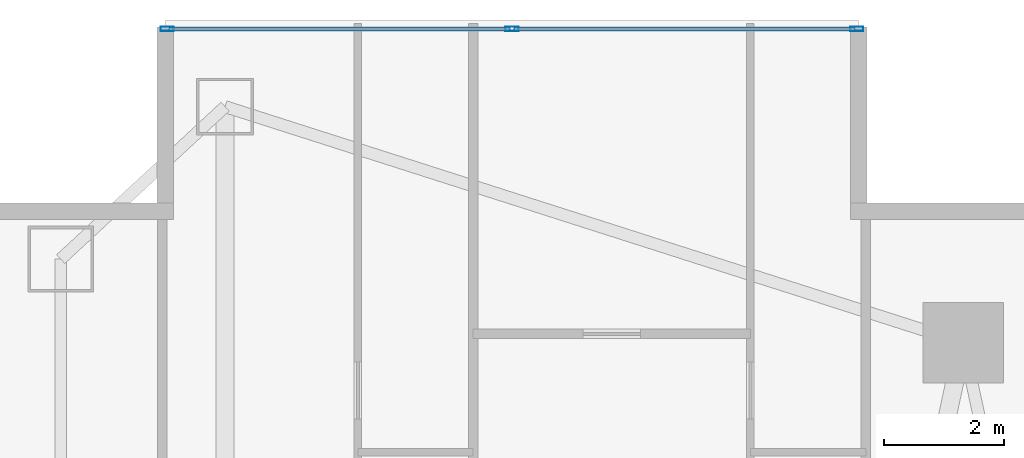
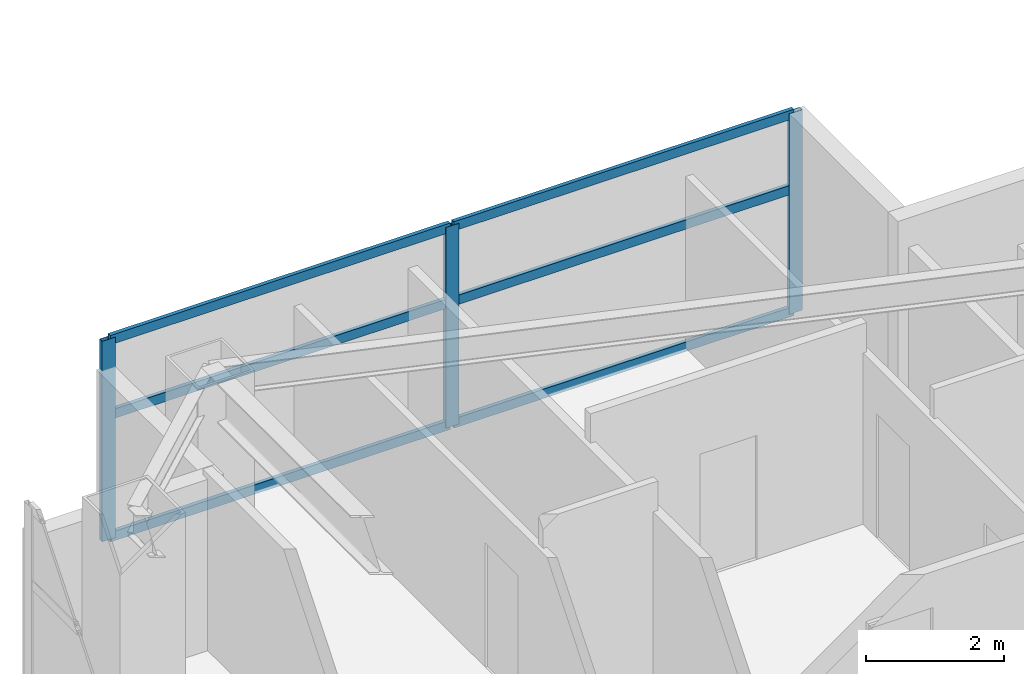
# One storey, part 19 of 29: 9 members, 1 element without a shape of its own.
"""IFC4 building model written with IfcOpenShell, lengths in metres."""

from ifc_helpers import new_model, si_unit, direction, frame, origin, origin_2d, place, context, subcontext, project, spatial, hollow_rectangle, extrude, material, layer, layer_set, material_profile, profile_set, type_object, element, aggregate, save


model = new_model("IFC4")

# Units and contexts
model_context = context("Model", 3, precision=1e-05, world=origin(), true_north=direction((0.0, 1.0)))
body_context = subcontext(model_context, "Body", "Model", "MODEL_VIEW")
ifc_project = project(units=[si_unit("LENGTHUNIT", "METRE"), si_unit("AREAUNIT", "SQUARE_METRE"), si_unit("VOLUMEUNIT", "CUBIC_METRE"), si_unit("PLANEANGLEUNIT", "RADIAN"), si_unit("MASSUNIT", "GRAM", prefix="KILO")], contexts=[model_context])

# Site, building, storey
site_placement = place(None, origin())
site = spatial("IfcSite", under=ifc_project, at=site_placement, CompositionType="ELEMENT")
building_placement = place(site_placement, origin())
building = spatial("IfcBuilding", under=site, at=building_placement, Name="Calvorn Quay Hotel", CompositionType="ELEMENT")
storey_placement = place(building_placement, frame((0.0, 0.0, 34.60009765625)))
storey = spatial("IfcBuildingStorey", under=building, at=storey_placement, Name="L07", CompositionType="ELEMENT", Elevation=34.60009765625)

# Curtain wall, members
ifc_material_1 = material(Name="Pale Anodised Aluminium and Low-E Glass", Category="aluminium")
ifc_layer = layer(ifc_material_1, 0.219970703125)
ifc_layer_set = layer_set([ifc_layer], Name="CW-SYS-Z1")
curtain_wall_type = type_object("IfcCurtainWallType", Name="CW-SYS-Z1", PredefinedType="NOTDEFINED", material=ifc_layer_set)
curtain_wall_placement = place(storey_placement, origin())
curtain_wall = element("IfcCurtainWall", 1, at=curtain_wall_placement, inside=storey, type_object=curtain_wall_type, Name="Inner Court Curtain Wall L07-N1", PredefinedType="NOTDEFINED")
ifc_material_2 = material(Name="Pale Anodised Aluminium 6063-T6", Category="aluminium")
ifc_material_profile_1 = material_profile(ifc_material_2, hollow_rectangle(XDim=0.074951171875, YDim=0.219970703125, WallThickness=0.00439453125, at=origin_2d()), Name="ALU-M220x75x4.5")
ifc_profile_set_1 = profile_set([ifc_material_profile_1], Name="Pale Anodised Aluminium 6063-T6")
member_type_1 = type_object("IfcMemberType", Name="CW-SYS-Z1-MUL", PredefinedType="MULLION", material=ifc_profile_set_1)
member_1_placement = place(storey_placement, frame((14.77001953125, 50.85009765625, 0.0), z_axis=(0.0, 0.0, 1.0), x_axis=(0.0, -1.0, 0.0)))
member_1 = element("IfcMember", 2, at=member_1_placement, type_object=member_type_1, Name="CW-L07-N1 mullion 1", PredefinedType="MULLION", context=body_context, shape_type="SweptSolid", body=[
    extrude(hollow_rectangle(XDim=0.074951171875, YDim=0.219970703125, WallThickness=0.00439453125, at=origin_2d()), origin(), (0.0, 0.0, 1.0), 3.559814453125),
])
member_2_placement = place(storey_placement, frame((9.0, 50.85009765625, 0.0), z_axis=(0.0, 0.0, 1.0), x_axis=(0.0, -1.0, 0.0)))
member_2 = element("IfcMember", 3, at=member_2_placement, type_object=member_type_1, Name="CW-L07-N1 mullion 2", PredefinedType="MULLION", context=body_context, shape_type="SweptSolid", body=[
    extrude(hollow_rectangle(XDim=0.074951171875, YDim=0.219970703125, WallThickness=0.00439453125, at=origin_2d()), origin(), (0.0, 0.0, 1.0), 3.559814453125),
])
member_3_placement = place(storey_placement, frame((3.22998046875, 50.85009765625, 0.0), z_axis=(0.0, 0.0, 1.0), x_axis=(0.0, -1.0, 0.0)))
member_3 = element("IfcMember", 4, at=member_3_placement, type_object=member_type_1, Name="CW-L07-N1 mullion 3", PredefinedType="MULLION", context=body_context, shape_type="SweptSolid", body=[
    extrude(hollow_rectangle(XDim=0.074951171875, YDim=0.219970703125, WallThickness=0.00439453125, at=origin_2d()), origin(), (0.0, 0.0, 1.0), 3.559814453125),
])
ifc_material_3 = material(Name="Pale Anodised Aluminium 6063-T6", Category="aluminium")
ifc_material_profile_2 = material_profile(ifc_material_3, hollow_rectangle(XDim=0.06494140625, YDim=0.1650390625, WallThickness=0.00341796875, at=origin_2d()), Name="ALU-T165x65x3.5")
ifc_profile_set_2 = profile_set([ifc_material_profile_2], Name="Pale Anodised Aluminium 6063-T6")
member_type_2 = type_object("IfcMemberType", Name="CW-SYS-Z1-TRN", PredefinedType="USERDEFINED", material=ifc_profile_set_2)
member_4_placement = place(storey_placement, frame((14.739990234375, 50.85009765625, 0.02978515625), z_axis=(-1.0, 0.0, 0.0), x_axis=(0.0, -1.0, 0.0)))
member_4 = element("IfcMember", 5, at=member_4_placement, type_object=member_type_2, Name="CW-L07-N1 transom 1.1", ObjectType="TRANSOM", PredefinedType="USERDEFINED", context=body_context, shape_type="SweptSolid", body=[
    extrude(hollow_rectangle(XDim=0.06494140625, YDim=0.1650390625, WallThickness=0.00341796875, at=origin_2d()), origin(), (0.0, 0.0, 1.0), 5.7099609375),
])
member_5_placement = place(storey_placement, frame((14.739990234375, 50.85009765625, 2.199951171875), z_axis=(-1.0, 0.0, 0.0), x_axis=(0.0, -1.0, 0.0)))
member_5 = element("IfcMember", 6, at=member_5_placement, type_object=member_type_2, Name="CW-L07-N1 transom 1.2", ObjectType="TRANSOM", PredefinedType="USERDEFINED", context=body_context, shape_type="SweptSolid", body=[
    extrude(hollow_rectangle(XDim=0.06494140625, YDim=0.1650390625, WallThickness=0.00341796875, at=origin_2d()), origin(), (0.0, 0.0, 1.0), 5.7099609375),
])
member_6_placement = place(storey_placement, frame((14.739990234375, 50.85009765625, 3.52978515625), z_axis=(-1.0, 0.0, 0.0), x_axis=(0.0, -1.0, 0.0)))
member_6 = element("IfcMember", 7, at=member_6_placement, type_object=member_type_2, Name="CW-L07-N1 transom 1.3", ObjectType="TRANSOM", PredefinedType="USERDEFINED", context=body_context, shape_type="SweptSolid", body=[
    extrude(hollow_rectangle(XDim=0.06494140625, YDim=0.1650390625, WallThickness=0.00341796875, at=origin_2d()), origin(), (0.0, 0.0, 1.0), 5.7099609375),
])
member_7_placement = place(storey_placement, frame((8.969970703125, 50.85009765625, 0.02978515625), z_axis=(-1.0, 0.0, 0.0), x_axis=(0.0, -1.0, 0.0)))
member_7 = element("IfcMember", 8, at=member_7_placement, type_object=member_type_2, Name="CW-L07-N1 transom 2.1", ObjectType="TRANSOM", PredefinedType="USERDEFINED", context=body_context, shape_type="SweptSolid", body=[
    extrude(hollow_rectangle(XDim=0.06494140625, YDim=0.1650390625, WallThickness=0.00341796875, at=origin_2d()), origin(), (0.0, 0.0, 1.0), 5.7099609375),
])
member_8_placement = place(storey_placement, frame((8.969970703125, 50.85009765625, 2.199951171875), z_axis=(-1.0, 0.0, 0.0), x_axis=(0.0, -1.0, 0.0)))
member_8 = element("IfcMember", 9, at=member_8_placement, type_object=member_type_2, Name="CW-L07-N1 transom 2.2", ObjectType="TRANSOM", PredefinedType="USERDEFINED", context=body_context, shape_type="SweptSolid", body=[
    extrude(hollow_rectangle(XDim=0.06494140625, YDim=0.1650390625, WallThickness=0.00341796875, at=origin_2d()), origin(), (0.0, 0.0, 1.0), 5.7099609375),
])
member_9_placement = place(storey_placement, frame((8.969970703125, 50.85009765625, 3.52978515625), z_axis=(-1.0, 0.0, 0.0), x_axis=(0.0, -1.0, 0.0)))
member_9 = element("IfcMember", 10, at=member_9_placement, type_object=member_type_2, Name="CW-L07-N1 transom 2.3", ObjectType="TRANSOM", PredefinedType="USERDEFINED", context=body_context, shape_type="SweptSolid", body=[
    extrude(hollow_rectangle(XDim=0.06494140625, YDim=0.1650390625, WallThickness=0.00341796875, at=origin_2d()), origin(), (0.0, 0.0, 1.0), 5.7099609375),
])
aggregate(curtain_wall, [member_1, member_2, member_3, member_4, member_5, member_6, member_7, member_8, member_9])

save(model, "model.ifc")
